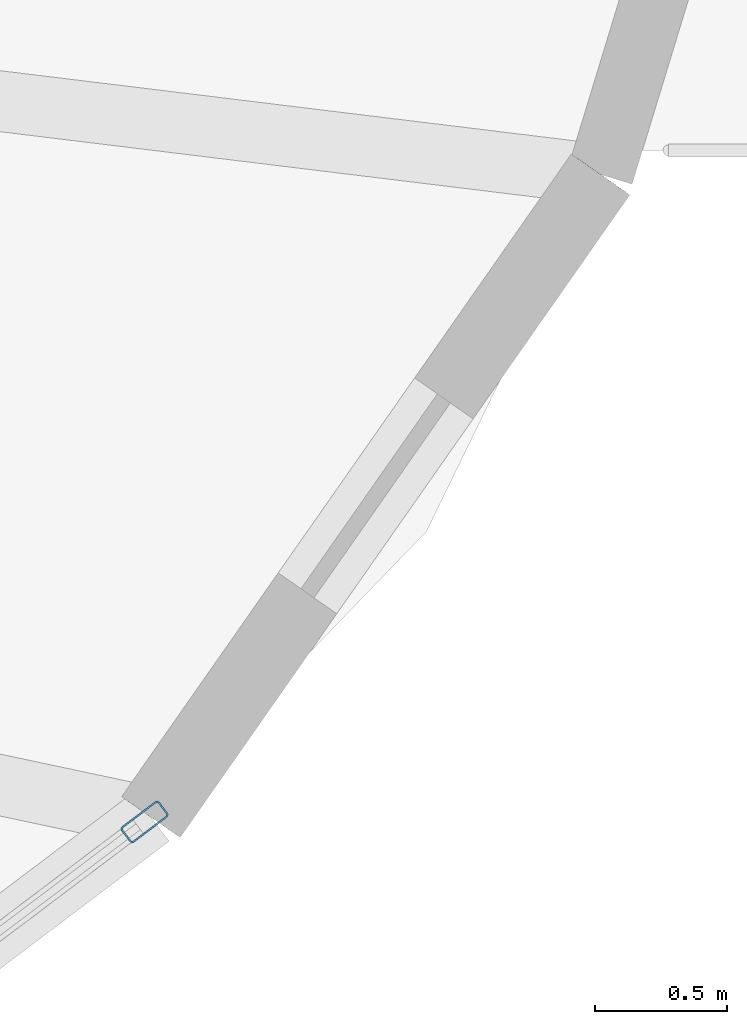
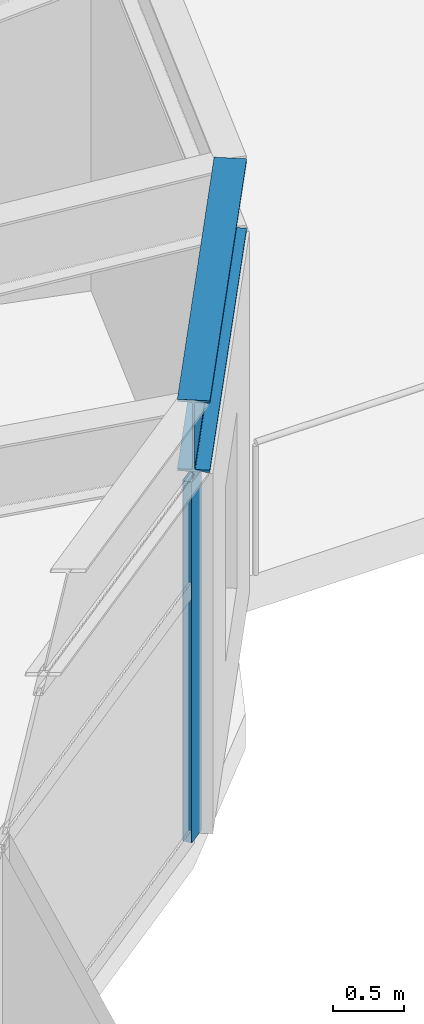
# One storey, part 8 of 23: 1 beam, 1 member, 1 element without a shape of its own.
"""IFC4 building model written with IfcOpenShell, lengths in metres."""

from ifc_helpers import new_model, si_unit, direction, frame, origin, origin_2d, place, context, subcontext, project, spatial, hollow_rectangle, i_section, extrude, material, layer, layer_set, material_profile, profile_set, type_object, element, aggregate, save


model = new_model("IFC4")

# Units and contexts
model_context = context("Model", 3, precision=1e-05, world=origin(), true_north=direction((0.0, 1.0)))
body_context = subcontext(model_context, "Body", "Model", "MODEL_VIEW")
ifc_project = project(units=[si_unit("LENGTHUNIT", "METRE"), si_unit("AREAUNIT", "SQUARE_METRE"), si_unit("VOLUMEUNIT", "CUBIC_METRE"), si_unit("PLANEANGLEUNIT", "RADIAN"), si_unit("MASSUNIT", "GRAM", prefix="KILO")], contexts=[model_context])

# Site, building, storey
site_placement = place(None, origin())
site = spatial("IfcSite", under=ifc_project, at=site_placement, CompositionType="ELEMENT")
building_placement = place(site_placement, origin())
building = spatial("IfcBuilding", under=site, at=building_placement, Name="Soratama Intermodal Tower", CompositionType="ELEMENT")
storey_placement = place(building_placement, frame((0.0, 0.0, 30.60009765625)))
storey = spatial("IfcBuildingStorey", under=building, at=storey_placement, Name="L06", CompositionType="ELEMENT", Elevation=30.60009765625)

# Beam
ifc_material_1 = material(Name="Structural steel ASTM A992 Grade 50", Category="steel")
ifc_material_profile_1 = material_profile(ifc_material_1, i_section(OverallWidth=0.22900390625, OverallDepth=0.612060546875, WebThickness=0.011962890625, FlangeThickness=0.01953125, FilletRadius=0.012939453125, at=origin_2d()), Name="W24X84")
ifc_profile_set_1 = profile_set([ifc_material_profile_1], Name="Structural steel ASTM A992 Grade 50")
beam_type = type_object("IfcBeamType", Name="BM-SPN-W24X84", PredefinedType="SPANDREL", material=ifc_profile_set_1)
beam_placement = place(storey_placement, frame((61.452880859375, 11.677978515625, 3.393798828125), z_axis=(0.573357413296, 0.819305362254, 0.0), x_axis=(-0.819305362254, 0.573357413296, 0.0)))
element("IfcBeam", 1, at=beam_placement, inside=storey, type_object=beam_type, Name="BS-L06-CRN09", PredefinedType="SPANDREL", context=body_context, shape_type="SweptSolid", body=[
    extrude(i_section(OverallWidth=0.22900390625, OverallDepth=0.612060546875, WebThickness=0.011962890625, FlangeThickness=0.01953125, FilletRadius=0.012939453125, at=origin_2d()), origin(), (0.0, 0.0, 1.0), 2.967041015625),
])

# Curtain wall, member
ifc_material_2 = material(Name="Double-glazed aluminium curtain wall", Category="aluminium")
ifc_layer = layer(ifc_material_2, 0.159912109375)
ifc_layer_set = layer_set([ifc_layer], Name="Double-glazed aluminium curtain wall")
curtain_wall_type = type_object("IfcCurtainWallType", Name="CW-SYS-2", PredefinedType="NOTDEFINED", material=ifc_layer_set)
curtain_wall_placement = place(storey_placement, origin())
curtain_wall = element("IfcCurtainWall", 2, at=curtain_wall_placement, inside=storey, type_object=curtain_wall_type, Name="L06 Faceted Curtain Wall F09", PredefinedType="NOTDEFINED")
ifc_material_3 = material(Name="Anodised aluminium AA 6063-T6", Category="aluminium")
ifc_material_profile_2 = material_profile(ifc_material_3, hollow_rectangle(XDim=0.074951171875, YDim=0.179931640625, WallThickness=0.006103515625, InnerFilletRadius=0.006103515625, OuterFilletRadius=0.011962890625, at=origin_2d()), Name="CWM180X75X6")
ifc_profile_set_2 = profile_set([ifc_material_profile_2], Name="Anodised aluminium AA 6063-T6")
member_type = type_object("IfcMemberType", Name="MT-CWM-2", PredefinedType="MULLION", material=ifc_profile_set_2)
member_placement = place(storey_placement, frame((61.428955078125, 11.659912109375, 0.0), z_axis=(0.0, 0.0, 1.0), x_axis=(-0.602090543366, 0.798427816142, 0.0)))
member = element("IfcMember", 3, at=member_placement, type_object=member_type, Name="CW-2 mullion 3", PredefinedType="MULLION", context=body_context, shape_type="SweptSolid", body=[
    extrude(hollow_rectangle(XDim=0.074951171875, YDim=0.179931640625, WallThickness=0.006103515625, InnerFilletRadius=0.006103515625, OuterFilletRadius=0.011962890625, at=origin_2d()), origin(), (0.0, 0.0, 1.0), 3.078857421875),
])
aggregate(curtain_wall, [member])

save(model, "model.ifc")
